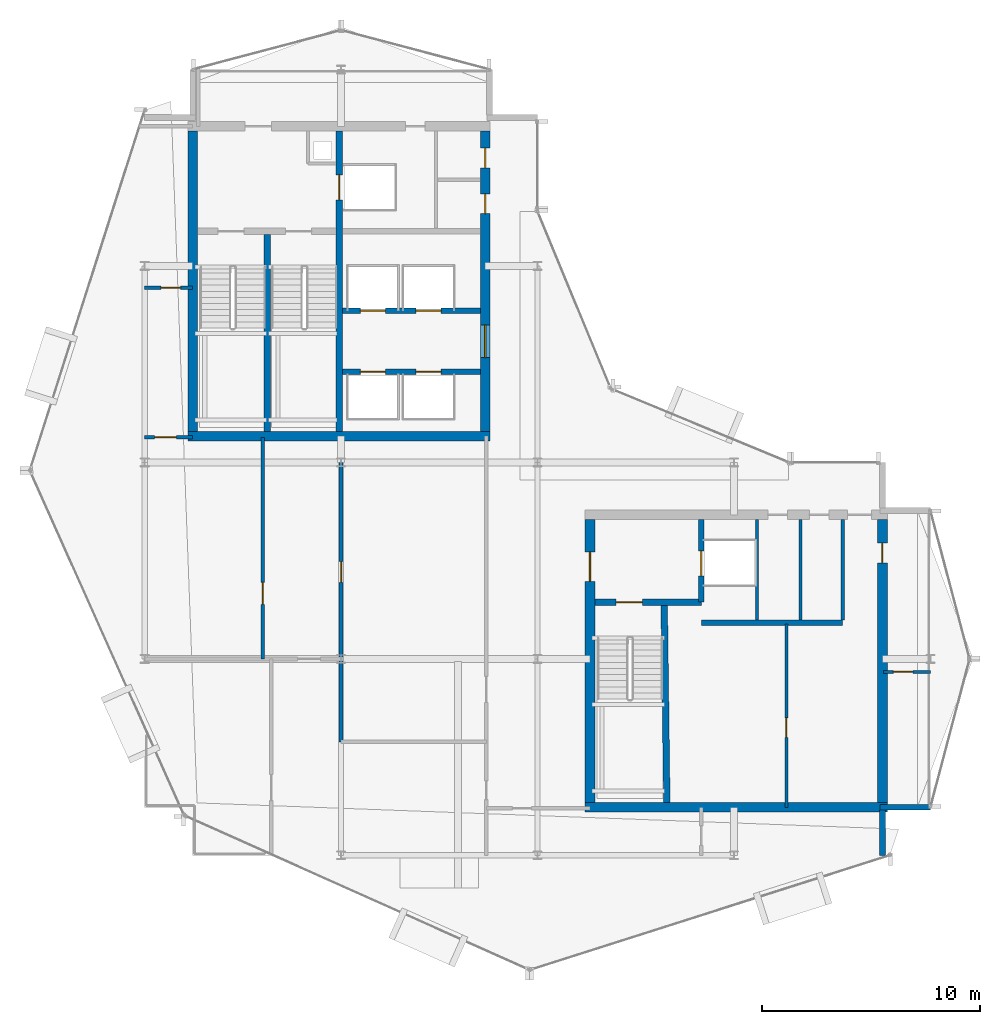
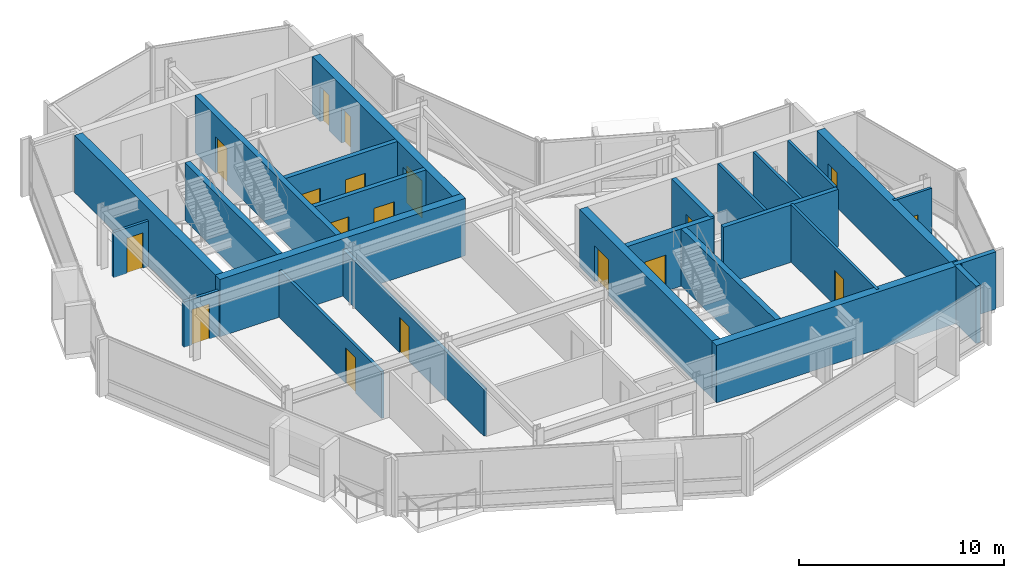
# One storey, part 14 of 19: 25 walls, 18 doors, 18 openings.
"""IFC4 building model written with IfcOpenShell, lengths in metres."""

import ifcopenshell
import ifcopenshell.guid

model = None  # the IFC model being written
_history = None  # IfcOwnerHistory: only IFC2X3 demands one
_inside = {}  # id of a spatial element -> (the spatial element, [elements in it])
_under = {}  # id of a project, library or spatial element -> (it, [spatial elements below it])
_declared = {}  # id of a project -> (the project, [libraries it declares])
_typed = {}  # id of a type object -> (the type object, [elements of that type])
_made_of = {}  # id of a material, layer set ... -> (it, [elements and type objects made of it])


def new_model(schema):
    """Start an empty IFC model of exactly this schema.

    Asked for "IFC4X3", IfcOpenShell would pick the latest addendum, in which some entities
    have other attributes; the version numbers below select the first issue.
    IFC2X3 requires an IfcOwnerHistory on every rooted entity: one is made here for all.
    """
    global model, _history
    if schema == "IFC4X3":
        model = ifcopenshell.file(schema_version=(4, 3, 0, 0))
    else:
        model = ifcopenshell.file(schema=schema)
    _inside.clear()
    _under.clear()
    _declared.clear()
    _typed.clear()
    _made_of.clear()
    _history = None
    if model.schema == "IFC2X3":
        org = make("IfcOrganization", Name="unknown")
        user = make(
            "IfcPersonAndOrganization",
            ThePerson=make("IfcPerson", FamilyName="unknown"),
            TheOrganization=org,
        )
        app = make(
            "IfcApplication",
            ApplicationDeveloper=org,
            Version="unknown",
            ApplicationFullName="unknown",
            ApplicationIdentifier="unknown",
        )
        _history = make(
            "IfcOwnerHistory",
            OwningUser=user,
            OwningApplication=app,
            ChangeAction="ADDED",
            CreationDate=0,
        )
    return model


def make(cls, **values):
    """One entity of the class cls with the attributes given. An attribute that is None is left unset."""
    return model.create_entity(
        cls, **{name: value for name, value in values.items() if value is not None}
    )


def rooted(cls, **values):
    """An entity with a GlobalId (a new one), such as an element, a storey or a relation."""
    return make(cls, GlobalId=ifcopenshell.guid.new(), OwnerHistory=_history, **values)


def si_unit(unit_type, name, prefix=None):
    """IfcSIUnit, for example si_unit("LENGTHUNIT", "METRE", prefix="MILLI")."""
    return make("IfcSIUnit", UnitType=unit_type, Prefix=prefix, Name=name)


def assignment(units):
    """IfcUnitAssignment: the units of a project."""
    return None if units is None else make("IfcUnitAssignment", Units=units)


def point(xyz):
    """IfcCartesianPoint."""
    return None if xyz is None else make("IfcCartesianPoint", Coordinates=xyz)


def direction(xyz):
    """IfcDirection."""
    return None if xyz is None else make("IfcDirection", DirectionRatios=xyz)


def frame(location, z_axis=None, x_axis=None):
    """IfcAxis2Placement3D, a coordinate frame: its origin and axes. An axis left out is left unset."""
    return make(
        "IfcAxis2Placement3D",
        Location=point(location),
        Axis=direction(z_axis),
        RefDirection=direction(x_axis),
    )


def frame_2d(location, x_axis=None):
    """IfcAxis2Placement2D, a coordinate frame in the plane: its origin and x axis."""
    return make(
        "IfcAxis2Placement2D", Location=point(location), RefDirection=direction(x_axis)
    )


def origin():
    """The frame at (0, 0, 0) with its axes left unset."""
    return frame((0.0, 0.0, 0.0))


def place(relative_to, where):
    """IfcLocalPlacement: puts the frame where relative to a parent placement (None: the world)."""
    return make(
        "IfcLocalPlacement", PlacementRelTo=relative_to, RelativePlacement=where
    )


def context(
    kind, dimensions, precision=None, world=None, true_north=None, identifier=None
):
    """IfcGeometricRepresentationContext, for example the 3D "Model" context."""
    return make(
        "IfcGeometricRepresentationContext",
        ContextIdentifier=identifier,
        ContextType=kind,
        CoordinateSpaceDimension=dimensions,
        Precision=precision,
        WorldCoordinateSystem=world,
        TrueNorth=true_north,
    )


def subcontext(parent, identifier, kind, view, scale=None):
    """IfcGeometricRepresentationSubContext, for example "Body" below "Model"."""
    return make(
        "IfcGeometricRepresentationSubContext",
        ContextIdentifier=identifier,
        ContextType=kind,
        ParentContext=parent,
        TargetScale=scale,
        TargetView=view,
    )


def project(units=None, contexts=None):
    """IfcProject with its units and contexts."""
    return rooted(
        "IfcProject",
        Name="project",
        RepresentationContexts=contexts,
        UnitsInContext=assignment(units),
    )


def spatial(cls, under=None, at=None, **own):
    """A site, building, storey or space (cls), placed at a placement, below another one or the project."""
    s = rooted(cls, ObjectPlacement=at, **own)
    if under is not None:
        _under.setdefault(under.id(), (under, []))[1].append(s)
    return s


def profile(cls, at=None, kind="AREA", **sizes):
    """A parametric profile (cls). Its sizes go by their IFC names, for example OverallWidth=200.0."""
    return make(cls, ProfileType=kind, Position=at, **sizes)


def rectangle(**sizes):
    """IfcRectangleProfileDef."""
    return profile("IfcRectangleProfileDef", **sizes)


def extrude(swept, where, along, depth):
    """IfcExtrudedAreaSolid: the profile swept, set in the frame where, extruded along a direction by depth."""
    return make(
        "IfcExtrudedAreaSolid",
        SweptArea=swept,
        Position=where,
        ExtrudedDirection=direction(along),
        Depth=depth,
    )


def shape(context_of_items, identifier, shape_type, items):
    """IfcShapeRepresentation: the items that make up one representation, for example the "Body"."""
    return make(
        "IfcShapeRepresentation",
        ContextOfItems=context_of_items,
        RepresentationIdentifier=identifier,
        RepresentationType=shape_type,
        Items=items,
    )


def material(Name=None, Category=None):
    """IfcMaterial."""
    return make("IfcMaterial", Name=Name, Category=Category)


def layer(
    of_material, thickness, ventilated=None, Name=None, Category=None, Priority=None
):
    """IfcMaterialLayer: one layer of a wall or slab, of a material (None: an air gap)."""
    return make(
        "IfcMaterialLayer",
        Material=of_material,
        LayerThickness=thickness,
        IsVentilated=ventilated,
        Name=Name,
        Category=Category,
        Priority=Priority,
    )


def layer_set(layers, Name=None):
    """IfcMaterialLayerSet."""
    return make("IfcMaterialLayerSet", MaterialLayers=layers, LayerSetName=Name)


def made_of(thing, what):
    """Note that an element or type object is made of a material, layer set ...; save() writes the relation."""
    if what is not None:
        _made_of.setdefault(what.id(), (what, []))[1].append(thing)
    return thing


def type_object(cls, material=None, **own):
    """A type object (cls), such as IfcWallType, which elements share."""
    return made_of(rooted(cls, **own), material)


def element(
    cls,
    number,
    at=None,
    inside=None,
    cuts=None,
    type_object=None,
    material=None,
    context=None,
    identifier="Body",
    shape_type=None,
    held_by="IfcProductDefinitionShape",
    body=None,
    shapes=None,
    **own,
):
    """One element of the class cls, such as IfcWall. Its Tag is "e" and its number.

    at: its placement. inside: the storey or other place that contains it. cuts: it is an
    opening in that element (IfcRelVoidsElement). A single representation is given by context,
    identifier, shape_type and body (its items); several are given by shapes. held_by: the class
    of the entity that holds the representations. save() writes the other relations.
    """
    e = rooted(cls, Tag="e%d" % number, ObjectPlacement=at, **own)
    if body is not None:
        shapes = [shape(context, identifier, shape_type, body)]
    if shapes is not None:
        e.Representation = make(held_by, Representations=shapes)
    if inside is not None:
        _inside.setdefault(inside.id(), (inside, []))[1].append(e)
    if cuts is not None:
        rooted(
            "IfcRelVoidsElement", RelatingBuildingElement=cuts, RelatedOpeningElement=e
        )
    if type_object is not None:
        _typed.setdefault(type_object.id(), (type_object, []))[1].append(e)
    return made_of(e, material)


def fill(opening, filler):
    """IfcRelFillsElement: the door or window that sits in an opening."""
    return rooted(
        "IfcRelFillsElement",
        RelatingOpeningElement=opening,
        RelatedBuildingElement=filler,
    )


def aggregate(whole, parts):
    """IfcRelAggregates: a whole, such as a stair, and the parts it consists of."""
    return rooted("IfcRelAggregates", RelatingObject=whole, RelatedObjects=parts)


def save(model, path):
    """Write the relations noted so far, then the file.

    IfcRelAggregates (storeys below a building ...), IfcRelContainedInSpatialStructure (elements
    in a storey), IfcRelDefinesByType, IfcRelAssociatesMaterial and IfcRelDeclares: one each for
    every whole, place, type object, material and project.
    """
    for whole, parts in _under.values():
        aggregate(whole, parts)
    for where, things in _inside.values():
        rooted(
            "IfcRelContainedInSpatialStructure",
            RelatedElements=things,
            RelatingStructure=where,
        )
    for kind, things in _typed.values():
        rooted("IfcRelDefinesByType", RelatedObjects=things, RelatingType=kind)
    for what, things in _made_of.values():
        rooted("IfcRelAssociatesMaterial", RelatedObjects=things, RelatingMaterial=what)
    for by, libraries in _declared.values():
        rooted("IfcRelDeclares", RelatingContext=by, RelatedDefinitions=libraries)
    model.write(path)


model = new_model("IFC4")

# Units and contexts
model_context = context("Model", 3, precision=1e-05, world=origin(), true_north=direction((0.0, 1.0)))
body_context = subcontext(model_context, "Body", "Model", "MODEL_VIEW")
ifc_project = project(units=[si_unit("LENGTHUNIT", "METRE"), si_unit("AREAUNIT", "SQUARE_METRE"), si_unit("VOLUMEUNIT", "CUBIC_METRE"), si_unit("PLANEANGLEUNIT", "RADIAN"), si_unit("MASSUNIT", "GRAM", prefix="KILO")], contexts=[model_context])

# Site, building, storey
site_placement = place(None, origin())
site = spatial("IfcSite", under=ifc_project, at=site_placement, CompositionType="ELEMENT")
building_placement = place(site_placement, origin())
building = spatial("IfcBuilding", under=site, at=building_placement, Name="Solvaryn Broadcast Tower", CompositionType="ELEMENT")
storey_placement = place(building_placement, frame((0.0, 0.0, 251.89990234375)))
storey = spatial("IfcBuildingStorey", under=building, at=storey_placement, Name="L63", CompositionType="ELEMENT", Elevation=251.89990234375)

# Walls
ifc_material_1 = material(Name="Concrete f'c 70 MPa", Category="concrete")
ifc_layer_1 = layer(ifc_material_1, 0.449951171875)
ifc_layer_set_1 = layer_set([ifc_layer_1], Name="CW-SHEAR-450")
wall_type_1 = type_object("IfcWallType", Name="CW-SHEAR-450", PredefinedType="SHEAR", material=ifc_layer_set_1)
wall_1_placement = place(storey_placement, frame((10.97509765625, 28.199951171875, 0.0), z_axis=(0.0, 0.0, 1.0), x_axis=(1.0, 0.0, 0.0)))
element("IfcWall", 1, at=wall_1_placement, inside=storey, type_object=wall_type_1, Name="L63 West Core South Shear Wall", PredefinedType="SHEAR", context=body_context, shape_type="SweptSolid", body=[
    extrude(rectangle(XDim=13.849853515625, YDim=0.449951171875, at=frame_2d((6.9248046875, 0.0))), origin(), (0.0, 0.0, 1.0), 3.420166015625),
])
wall_2_placement = place(storey_placement, frame((11.199951171875, 42.175048828125, 0.0), z_axis=(0.0, 0.0, 1.0), x_axis=(0.0, -1.0, 0.0)))
element("IfcWall", 2, at=wall_2_placement, inside=storey, type_object=wall_type_1, Name="L63 West Core West Shear Wall", PredefinedType="SHEAR", context=body_context, shape_type="SweptSolid", body=[
    extrude(rectangle(XDim=13.75, YDim=0.449951171875, at=frame_2d((6.875, 0.0))), origin(), (0.0, 0.0, 1.0), 3.420166015625),
])

# Wall, openings, doors
wall_3_placement = place(storey_placement, frame((24.60009765625, 28.425048828125, 0.0), z_axis=(0.0, 0.0, 1.0), x_axis=(0.0, 1.0, 0.0)))
wall_3 = element("IfcWall", 3, at=wall_3_placement, inside=storey, type_object=wall_type_1, Name="L63 West Core East Shear Wall", PredefinedType="SHEAR", context=body_context, shape_type="SweptSolid", body=[
    extrude(rectangle(XDim=13.75, YDim=0.449951171875, at=frame_2d((6.875, 0.0))), origin(), (0.0, 0.0, 1.0), 3.420166015625),
])
opening_1_placement = place(wall_3_placement, frame((3.375, 0.0, 0.0)))
opening_1 = element("IfcOpeningElement", 4, at=opening_1_placement, cuts=wall_3, Name="Opening FD60A", PredefinedType="OPENING", context=body_context, shape_type="SweptSolid", body=[
    extrude(rectangle(XDim=1.5, YDim=2.199951171875, at=frame_2d((0.75, 1.10009765625))), frame((0.0, 0.235107421875, 0.0), z_axis=(0.0, -1.0, 0.0), x_axis=(1.0, 0.0, 0.0)), (0.0, 0.0, 1.0), 0.469970703125),
])
opening_2_placement = place(wall_3_placement, frame((9.97509765625, 0.0, 0.0)))
opening_2 = element("IfcOpeningElement", 5, at=opening_2_placement, cuts=wall_3, Name="Opening FD60C", PredefinedType="OPENING", context=body_context, shape_type="SweptSolid", body=[
    extrude(rectangle(XDim=0.89990234375, YDim=2.10009765625, at=frame_2d((0.449951171875, 1.050048828125))), frame((0.0, 0.235107421875, 0.0), z_axis=(0.0, -1.0, 0.0), x_axis=(1.0, 0.0, 0.0)), (0.0, 0.0, 1.0), 0.469970703125),
])
opening_3_placement = place(wall_3_placement, frame((12.074951171875, 0.0, 0.0)))
opening_3 = element("IfcOpeningElement", 6, at=opening_3_placement, cuts=wall_3, Name="Opening FD60C", PredefinedType="OPENING", context=body_context, shape_type="SweptSolid", body=[
    extrude(rectangle(XDim=0.89990234375, YDim=2.10009765625, at=frame_2d((0.449951171875, 1.050048828125))), frame((0.0, 0.235107421875, 0.0), z_axis=(0.0, -1.0, 0.0), x_axis=(1.0, 0.0, 0.0)), (0.0, 0.0, 1.0), 0.469970703125),
])
ifc_material_2 = material(Name="Flush Acoustic Steel and Timber Door Assembly", Category="steel")
door_type_1 = type_object("IfcDoorType", Name="FD60-CORR-1500X2200", OperationType="NOTDEFINED", PredefinedType="DOOR", material=ifc_material_2)
door_1_placement = place(opening_1_placement, origin())
door_1 = element("IfcDoor", 7, at=door_1_placement, inside=storey, type_object=door_type_1, Name="L63 West Elevator Lobby Corridor Door", OperationType="DOUBLE_DOOR_SINGLE_SWING", OverallHeight=2.199951171875, OverallWidth=1.5, PredefinedType="DOOR", context=body_context, shape_type="SweptSolid", body=[
    extrude(rectangle(XDim=1.5, YDim=2.199951171875, at=frame_2d((0.75, 1.10009765625))), frame((0.0, 0.02490234375, 0.0), z_axis=(0.0, -1.0, 0.0), x_axis=(1.0, 0.0, 0.0)), (0.0, 0.0, 1.0), 0.050048828125),
])
fill(opening_1, door_1)
ifc_material_3 = material(Name="Flush Acoustic Steel and Timber Door Assembly", Category="steel")
door_type_2 = type_object("IfcDoorType", Name="FD60-SERV-900X2100", OperationType="NOTDEFINED", PredefinedType="DOOR", material=ifc_material_3)
door_2_placement = place(opening_2_placement, origin())
door_2 = element("IfcDoor", 8, at=door_2_placement, inside=storey, type_object=door_type_2, Name="L63 West Core Service Door 1", OperationType="SINGLE_SWING_LEFT", OverallHeight=2.10009765625, OverallWidth=0.89990234375, PredefinedType="DOOR", context=body_context, shape_type="SweptSolid", body=[
    extrude(rectangle(XDim=0.89990234375, YDim=2.10009765625, at=frame_2d((0.449951171875, 1.050048828125))), frame((0.0, 0.02490234375, 0.0), z_axis=(0.0, -1.0, 0.0), x_axis=(1.0, 0.0, 0.0)), (0.0, 0.0, 1.0), 0.050048828125),
])
fill(opening_2, door_2)
door_3_placement = place(opening_3_placement, origin())
door_3 = element("IfcDoor", 9, at=door_3_placement, inside=storey, type_object=door_type_2, Name="L63 West Core Janitor Door", OperationType="SINGLE_SWING_RIGHT", OverallHeight=2.10009765625, OverallWidth=0.89990234375, PredefinedType="DOOR", context=body_context, shape_type="SweptSolid", body=[
    extrude(rectangle(XDim=0.89990234375, YDim=2.10009765625, at=frame_2d((0.449951171875, 1.050048828125))), frame((0.0, 0.02490234375, 0.0), z_axis=(0.0, -1.0, 0.0), x_axis=(1.0, 0.0, 0.0)), (0.0, 0.0, 1.0), 0.050048828125),
])
fill(opening_3, door_3)

# Wall
wall_4_placement = place(storey_placement, frame((29.175048828125, 11.199951171875, 0.0), z_axis=(0.0, 0.0, 1.0), x_axis=(1.0, 0.0, 0.0)))
element("IfcWall", 10, at=wall_4_placement, inside=storey, type_object=wall_type_1, Name="L63 East Core South Shear Wall", PredefinedType="SHEAR", context=body_context, shape_type="SweptSolid", body=[
    extrude(rectangle(XDim=13.849853515625, YDim=0.449951171875, at=frame_2d((6.9248046875, 0.0))), origin(), (0.0, 0.0, 1.0), 3.420166015625),
])

# Wall, opening, door
wall_5_placement = place(storey_placement, frame((29.39990234375, 24.375, 0.0), z_axis=(0.0, 0.0, 1.0), x_axis=(0.0, -1.0, 0.0)))
wall_5 = element("IfcWall", 11, at=wall_5_placement, inside=storey, type_object=wall_type_1, Name="L63 East Core West Shear Wall", PredefinedType="SHEAR", context=body_context, shape_type="SweptSolid", body=[
    extrude(rectangle(XDim=12.949951171875, YDim=0.449951171875, at=frame_2d((6.47509765625, 0.0))), origin(), (0.0, 0.0, 1.0), 3.420166015625),
])
opening_4_placement = place(wall_5_placement, frame((1.47509765625, 0.0, 0.0)))
opening_4 = element("IfcOpeningElement", 12, at=opening_4_placement, cuts=wall_5, Name="Opening FD90B", PredefinedType="OPENING", context=body_context, shape_type="SweptSolid", body=[
    extrude(rectangle(XDim=1.35009765625, YDim=2.14990234375, at=frame_2d((0.675048828125, 1.074951171875))), frame((0.0, 0.235107421875, 0.0), z_axis=(0.0, -1.0, 0.0), x_axis=(1.0, 0.0, 0.0)), (0.0, 0.0, 1.0), 0.469970703125),
])
ifc_material_4 = material(Name="Flush Acoustic Steel and Timber Door Assembly", Category="steel")
door_type_3 = type_object("IfcDoorType", Name="FD90-LOBBY-1350X2150", OperationType="NOTDEFINED", PredefinedType="DOOR", material=ifc_material_4)
door_4_placement = place(opening_4_placement, origin())
door_4 = element("IfcDoor", 13, at=door_4_placement, inside=storey, type_object=door_type_3, Name="L63 East FSAE Lobby Door", OperationType="SINGLE_SWING_RIGHT", OverallHeight=2.14990234375, OverallWidth=1.35009765625, PredefinedType="DOOR", context=body_context, shape_type="SweptSolid", body=[
    extrude(rectangle(XDim=1.35009765625, YDim=2.14990234375, at=frame_2d((0.675048828125, 1.074951171875))), frame((0.0, 0.02490234375, 0.0), z_axis=(0.0, -1.0, 0.0), x_axis=(1.0, 0.0, 0.0)), (0.0, 0.0, 1.0), 0.050048828125),
])
fill(opening_4, door_4)

wall_6_placement = place(storey_placement, frame((42.800048828125, 11.425048828125, 0.0), z_axis=(0.0, 0.0, 1.0), x_axis=(0.0, 1.0, 0.0)))
wall_6 = element("IfcWall", 14, at=wall_6_placement, inside=storey, type_object=wall_type_1, Name="L63 East Core East Shear Wall", PredefinedType="SHEAR", context=body_context, shape_type="SweptSolid", body=[
    extrude(rectangle(XDim=12.949951171875, YDim=0.449951171875, at=frame_2d((6.47509765625, 0.0))), origin(), (0.0, 0.0, 1.0), 3.420166015625),
])
opening_5_placement = place(wall_6_placement, frame((10.97509765625, 0.0, 0.0)))
opening_5 = element("IfcOpeningElement", 15, at=opening_5_placement, cuts=wall_6, Name="Opening FD60C", PredefinedType="OPENING", context=body_context, shape_type="SweptSolid", body=[
    extrude(rectangle(XDim=0.89990234375, YDim=2.10009765625, at=frame_2d((0.449951171875, 1.050048828125))), frame((0.0, 0.235107421875, 0.0), z_axis=(0.0, -1.0, 0.0), x_axis=(1.0, 0.0, 0.0)), (0.0, 0.0, 1.0), 0.469970703125),
])
door_5_placement = place(opening_5_placement, origin())
door_5 = element("IfcDoor", 16, at=door_5_placement, inside=storey, type_object=door_type_2, Name="L63 Upper East Studio Door", OperationType="SINGLE_SWING_RIGHT", OverallHeight=2.10009765625, OverallWidth=0.89990234375, PredefinedType="DOOR", context=body_context, shape_type="SweptSolid", body=[
    extrude(rectangle(XDim=0.89990234375, YDim=2.10009765625, at=frame_2d((0.449951171875, 1.050048828125))), frame((0.0, 0.02490234375, 0.0), z_axis=(0.0, -1.0, 0.0), x_axis=(1.0, 0.0, 0.0)), (0.0, 0.0, 1.0), 0.050048828125),
])
fill(opening_5, door_5)

# Walls
ifc_material_5 = material(Name="Concrete f'c 50 MPa", Category="concrete")
ifc_layer_2 = layer(ifc_material_5, 0.260009765625)
ifc_layer_set_2 = layer_set([ifc_layer_2], Name="EW-PIER-260")
wall_type_2 = type_object("IfcWallType", Name="EW-PIER-260", PredefinedType="SOLIDWALL", material=ifc_layer_set_2)
wall_7_placement = place(storey_placement, frame((42.800048828125, 9.0, 0.0), z_axis=(0.0, 0.0, 1.0), x_axis=(0.0, 1.0, 0.0)))
element("IfcWall", 17, at=wall_7_placement, inside=storey, type_object=wall_type_2, Name="L63 Notched Corner Pier Wall NSE1", PredefinedType="SOLIDWALL", context=body_context, shape_type="SweptSolid", body=[
    extrude(rectangle(XDim=2.080078125, YDim=0.260009765625, at=frame_2d((1.0400390625, 0.0))), origin(), (0.0, 0.0, 1.0), 3.420166015625),
])
wall_8_placement = place(storey_placement, frame((42.679931640625, 11.199951171875, 0.0), z_axis=(0.0, 0.0, 1.0), x_axis=(1.0, 0.0, 0.0)))
element("IfcWall", 18, at=wall_8_placement, inside=storey, type_object=wall_type_2, Name="L63 Notched Corner Pier Wall NSE2", PredefinedType="SOLIDWALL", context=body_context, shape_type="SweptSolid", body=[
    extrude(rectangle(XDim=2.320068359375, YDim=0.260009765625, at=frame_2d((1.16015625, 0.0))), origin(), (0.0, 0.0, 1.0), 3.420166015625),
])

# Wall, opening, door
ifc_material_6 = material(Name="Metal-Stud Service Core Partition")
ifc_layer_3 = layer(ifc_material_6, 0.14990234375)
ifc_layer_set_3 = layer_set([ifc_layer_3], Name="IW-PART-150")
wall_type_3 = type_object("IfcWallType", Name="IW-PART-150", PredefinedType="PARTITIONING", material=ifc_layer_set_3)
wall_9_placement = place(storey_placement, frame((38.39990234375, 11.199951171875, 0.0), z_axis=(0.0, 0.0, 1.0), x_axis=(0.0, 1.0, 0.0)))
wall_9 = element("IfcWall", 19, at=wall_9_placement, inside=storey, type_object=wall_type_3, Name="L63 Interior Partition IW-L63-RPM-V", PredefinedType="PARTITIONING", context=body_context, shape_type="SweptSolid", body=[
    extrude(rectangle(XDim=8.400146484375, YDim=0.14990234375, at=frame_2d((4.2001953125, 0.0))), origin(), (0.0, 0.0, 1.0), 3.420166015625),
])
opening_6_placement = place(wall_9_placement, frame((3.199951171875, 0.0, 0.0)))
opening_6 = element("IfcOpeningElement", 20, at=opening_6_placement, cuts=wall_9, Name="Opening FD60C", PredefinedType="OPENING", context=body_context, shape_type="SweptSolid", body=[
    extrude(rectangle(XDim=0.89990234375, YDim=2.10009765625, at=frame_2d((0.449951171875, 1.050048828125))), frame((0.0, 0.0849609375, 0.0), z_axis=(0.0, -1.0, 0.0), x_axis=(1.0, 0.0, 0.0)), (0.0, 0.0, 1.0), 0.169921875),
])
door_6_placement = place(opening_6_placement, origin())
door_6 = element("IfcDoor", 21, at=door_6_placement, inside=storey, type_object=door_type_2, Name="L63 Door DR-L63-RPM1", OperationType="SINGLE_SWING_LEFT", OverallHeight=2.10009765625, OverallWidth=0.89990234375, PredefinedType="DOOR", context=body_context, shape_type="SweptSolid", body=[
    extrude(rectangle(XDim=0.89990234375, YDim=2.10009765625, at=frame_2d((0.449951171875, 1.050048828125))), frame((0.0, 0.02490234375, 0.0), z_axis=(0.0, -1.0, 0.0), x_axis=(1.0, 0.0, 0.0)), (0.0, 0.0, 1.0), 0.050048828125),
])
fill(opening_6, door_6)

# Walls
for number, where, z_axis, x_axis, name in (
    (22, (37.050048828125, 19.780029296875, 0.0), (0.0, 0.0, 1.0), (0.0, 1.0, 0.0), "L63 Interior Partition IW-L63-CE-FL2E"),
    (23, (39.050048828125, 19.780029296875, 0.0), (0.0, 0.0, 1.0), (0.0, 1.0, 0.0), "L63 Interior Partition IW-L63-CE-V1"),
    (24, (40.97998046875, 19.780029296875, 0.0), (0.0, 0.0, 1.0), (0.0, 1.0, 0.0), "L63 Interior Partition IW-L63-CE-V3"),
):
    element("IfcWall", number, at=place(storey_placement, frame(where, z_axis=z_axis, x_axis=x_axis)), inside=storey, type_object=wall_type_3, Name=name, PredefinedType="PARTITIONING", context=body_context, shape_type="SweptSolid", body=[
        extrude(rectangle(XDim=4.594970703125, YDim=0.14990234375, at=frame_2d((2.29736328125, 0.0))), origin(), (0.0, 0.0, 1.0), 3.420166015625),
    ])

# Wall, opening, door
wall_10_placement = place(storey_placement, frame((9.0, 35.0, 0.0), z_axis=(0.0, 0.0, 1.0), x_axis=(1.0, 0.0, 0.0)))
wall_10 = element("IfcWall", 25, at=wall_10_placement, inside=storey, type_object=wall_type_3, Name="L63 Interior Partition IW-L63-WM-M", PredefinedType="PARTITIONING", context=body_context, shape_type="SweptSolid", body=[
    extrude(rectangle(XDim=2.199951171875, YDim=0.14990234375, at=frame_2d((1.10009765625, 0.0))), origin(), (0.0, 0.0, 1.0), 2.70703125),
])
opening_7_placement = place(wall_10_placement, frame((0.75, 0.0, 0.0)))
opening_7 = element("IfcOpeningElement", 26, at=opening_7_placement, cuts=wall_10, Name="Opening FD60C", PredefinedType="OPENING", context=body_context, shape_type="SweptSolid", body=[
    extrude(rectangle(XDim=0.89990234375, YDim=2.10009765625, at=frame_2d((0.449951171875, 1.050048828125))), frame((0.0, 0.0849609375, 0.0), z_axis=(0.0, -1.0, 0.0), x_axis=(1.0, 0.0, 0.0)), (0.0, 0.0, 1.0), 0.169921875),
])
door_7_placement = place(opening_7_placement, origin())
door_7 = element("IfcDoor", 27, at=door_7_placement, inside=storey, type_object=door_type_2, Name="L63 Door DR-L63-WM1", OperationType="SINGLE_SWING_LEFT", OverallHeight=2.10009765625, OverallWidth=0.89990234375, PredefinedType="DOOR", context=body_context, shape_type="SweptSolid", body=[
    extrude(rectangle(XDim=0.89990234375, YDim=2.10009765625, at=frame_2d((0.449951171875, 1.050048828125))), frame((0.0, 0.02490234375, 0.0), z_axis=(0.0, -1.0, 0.0), x_axis=(1.0, 0.0, 0.0)), (0.0, 0.0, 1.0), 0.050048828125),
])
fill(opening_7, door_7)

wall_11_placement = place(storey_placement, frame((42.85009765625, 17.39990234375, 0.0), z_axis=(0.0, 0.0, 1.0), x_axis=(1.0, 0.0, 0.0)))
wall_11 = element("IfcWall", 28, at=wall_11_placement, inside=storey, type_object=wall_type_3, Name="L63 Interior Partition IW-L63-E4M", PredefinedType="PARTITIONING", context=body_context, shape_type="SweptSolid", body=[
    extrude(rectangle(XDim=2.14990234375, YDim=0.14990234375, at=frame_2d((1.074951171875, 0.0))), origin(), (0.0, 0.0, 1.0), 3.420166015625),
])
opening_8_placement = place(wall_11_placement, frame((0.449951171875, 0.0, 0.0)))
opening_8 = element("IfcOpeningElement", 29, at=opening_8_placement, cuts=wall_11, Name="Opening FD60C", PredefinedType="OPENING", context=body_context, shape_type="SweptSolid", body=[
    extrude(rectangle(XDim=0.89990234375, YDim=2.10009765625, at=frame_2d((0.449951171875, 1.050048828125))), frame((0.0, 0.0849609375, 0.0), z_axis=(0.0, -1.0, 0.0), x_axis=(1.0, 0.0, 0.0)), (0.0, 0.0, 1.0), 0.169921875),
])
door_8_placement = place(opening_8_placement, origin())
door_8 = element("IfcDoor", 30, at=door_8_placement, inside=storey, type_object=door_type_2, Name="L63 Door DR-L63-E4M", OperationType="SINGLE_SWING_RIGHT", OverallHeight=2.10009765625, OverallWidth=0.89990234375, PredefinedType="DOOR", context=body_context, shape_type="SweptSolid", body=[
    extrude(rectangle(XDim=0.89990234375, YDim=2.10009765625, at=frame_2d((0.449951171875, 1.050048828125))), frame((0.0, 0.02490234375, 0.0), z_axis=(0.0, -1.0, 0.0), x_axis=(1.0, 0.0, 0.0)), (0.0, 0.0, 1.0), 0.050048828125),
])
fill(opening_8, door_8)

ifc_material_7 = material(Name="Metal-Stud Gypsum Office Partition")
ifc_layer_4 = layer(ifc_material_7, 0.159912109375)
ifc_layer_set_4 = layer_set([ifc_layer_4], Name="IW-PART-160")
wall_type_4 = type_object("IfcWallType", Name="IW-PART-160", PredefinedType="PARTITIONING", material=ifc_layer_set_4)
wall_12_placement = place(storey_placement, frame((9.0, 28.14990234375, 0.0), z_axis=(0.0, 0.0, 1.0), x_axis=(1.0, 0.0, 0.0)))
wall_12 = element("IfcWall", 31, at=wall_12_placement, inside=storey, type_object=wall_type_4, Name="L63 Interior Partition IW-L63-WM-S", PredefinedType="PARTITIONING", context=body_context, shape_type="SweptSolid", body=[
    extrude(rectangle(XDim=2.199951171875, YDim=0.159912109375, at=frame_2d((1.10009765625, 0.0))), origin(), (0.0, 0.0, 1.0), 2.70703125),
])
opening_9_placement = place(wall_12_placement, frame((0.449951171875, 0.0, 0.0)))
opening_9 = element("IfcOpeningElement", 32, at=opening_9_placement, cuts=wall_12, Name="Opening ID02", PredefinedType="OPENING", context=body_context, shape_type="SweptSolid", body=[
    extrude(rectangle(XDim=1.0, YDim=2.10009765625, at=frame_2d((0.5, 1.050048828125))), frame((0.0, 0.090087890625, 0.0), z_axis=(0.0, -1.0, 0.0), x_axis=(1.0, 0.0, 0.0)), (0.0, 0.0, 1.0), 0.179931640625),
])
ifc_material_8 = material(Name="Flush Acoustic Steel and Timber Door Assembly", Category="steel")
door_type_4 = type_object("IfcDoorType", Name="ID-02-1000X2100", OperationType="NOTDEFINED", PredefinedType="DOOR", material=ifc_material_8)
door_9_placement = place(opening_9_placement, origin())
door_9 = element("IfcDoor", 33, at=door_9_placement, inside=storey, type_object=door_type_4, Name="L63 Door DR-L63-WM0", OperationType="SINGLE_SWING_RIGHT", OverallHeight=2.10009765625, OverallWidth=1.0, PredefinedType="DOOR", context=body_context, shape_type="SweptSolid", body=[
    extrude(rectangle(XDim=1.0, YDim=2.10009765625, at=frame_2d((0.5, 1.050048828125))), frame((0.0, 0.02490234375, 0.0), z_axis=(0.0, -1.0, 0.0), x_axis=(1.0, 0.0, 0.0)), (0.0, 0.0, 1.0), 0.050048828125),
])
fill(opening_9, door_9)

wall_13_placement = place(storey_placement, frame((14.39990234375, 18.0, 0.0), z_axis=(0.0, 0.0, 1.0), x_axis=(0.0, 1.0, 0.0)))
wall_13 = element("IfcWall", 34, at=wall_13_placement, inside=storey, type_object=wall_type_4, Name="L63 Interior Partition IW-L63-SW-NWV", PredefinedType="PARTITIONING", context=body_context, shape_type="SweptSolid", body=[
    extrude(rectangle(XDim=10.1298828125, YDim=0.159912109375, at=frame_2d((5.06494140625, 0.0))), origin(), (0.0, 0.0, 1.0), 2.7890625),
])
opening_10_placement = place(wall_13_placement, frame((2.5, 0.0, 0.0)))
opening_10 = element("IfcOpeningElement", 35, at=opening_10_placement, cuts=wall_13, Name="Opening ID02", PredefinedType="OPENING", context=body_context, shape_type="SweptSolid", body=[
    extrude(rectangle(XDim=1.0, YDim=2.10009765625, at=frame_2d((0.5, 1.050048828125))), frame((0.0, 0.090087890625, 0.0), z_axis=(0.0, -1.0, 0.0), x_axis=(1.0, 0.0, 0.0)), (0.0, 0.0, 1.0), 0.179931640625),
])
door_10_placement = place(opening_10_placement, origin())
door_10 = element("IfcDoor", 36, at=door_10_placement, inside=storey, type_object=door_type_4, Name="L63 Door DR-L63-SWL-NW", OperationType="SINGLE_SWING_LEFT", OverallHeight=2.10009765625, OverallWidth=1.0, PredefinedType="DOOR", context=body_context, shape_type="SweptSolid", body=[
    extrude(rectangle(XDim=1.0, YDim=2.10009765625, at=frame_2d((0.5, 1.050048828125))), frame((0.0, 0.02490234375, 0.0), z_axis=(0.0, -1.0, 0.0), x_axis=(1.0, 0.0, 0.0)), (0.0, 0.0, 1.0), 0.050048828125),
])
fill(opening_10, door_10)

ifc_material_9 = material(Name="Acoustic Metal-Stud Gypsum Partition")
ifc_layer_5 = layer(ifc_material_9, 0.179931640625)
ifc_layer_set_5 = layer_set([ifc_layer_5], Name="IW-PART-180")
wall_type_5 = type_object("IfcWallType", Name="IW-PART-180", PredefinedType="PARTITIONING", material=ifc_layer_set_5)
wall_14_placement = place(storey_placement, frame((18.0, 14.199951171875, 0.0), z_axis=(0.0, 0.0, 1.0), x_axis=(0.0, 1.0, 0.0)))
wall_14 = element("IfcWall", 37, at=wall_14_placement, inside=storey, type_object=wall_type_5, Name="L63 Interior Partition IW-L63-SW-LV", PredefinedType="PARTITIONING", context=body_context, shape_type="SweptSolid", body=[
    extrude(rectangle(XDim=13.929931640625, YDim=0.179931640625, at=frame_2d((6.96484375, 0.0))), origin(), (0.0, 0.0, 1.0), 2.7890625),
])
opening_11_placement = place(wall_14_placement, frame((7.300048828125, 0.0, 0.0)))
opening_11 = element("IfcOpeningElement", 38, at=opening_11_placement, cuts=wall_14, Name="Opening ID01", PredefinedType="OPENING", context=body_context, shape_type="SweptSolid", body=[
    extrude(rectangle(XDim=0.949951171875, YDim=2.10009765625, at=frame_2d((0.47509765625, 1.050048828125))), frame((0.0, 0.099853515625, 0.0), z_axis=(0.0, -1.0, 0.0), x_axis=(1.0, 0.0, 0.0)), (0.0, 0.0, 1.0), 0.199951171875),
])
ifc_material_10 = material(Name="Flush Acoustic Steel and Timber Door Assembly", Category="steel")
door_type_5 = type_object("IfcDoorType", Name="ID-01-950X2100", OperationType="NOTDEFINED", PredefinedType="DOOR", material=ifc_material_10)
door_11_placement = place(opening_11_placement, origin())
door_11 = element("IfcDoor", 39, at=door_11_placement, inside=storey, type_object=door_type_5, Name="L63 Door DR-L63-SWL-LV", OperationType="SINGLE_SWING_RIGHT", OverallHeight=2.10009765625, OverallWidth=0.949951171875, PredefinedType="DOOR", context=body_context, shape_type="SweptSolid", body=[
    extrude(rectangle(XDim=0.949951171875, YDim=2.10009765625, at=frame_2d((0.47509765625, 1.050048828125))), frame((0.0, 0.02490234375, 0.0), z_axis=(0.0, -1.0, 0.0), x_axis=(1.0, 0.0, 0.0)), (0.0, 0.0, 1.0), 0.050048828125),
])
fill(opening_11, door_11)

# Wall, openings, doors
ifc_material_11 = material(Name="Concrete f'c 60 MPa", Category="concrete")
ifc_layer_6 = layer(ifc_material_11, 0.25)
ifc_layer_set_6 = layer_set([ifc_layer_6], Name="SW-SHAFT-250")
wall_type_6 = type_object("IfcWallType", Name="SW-SHAFT-250", PredefinedType="PARTITIONING", material=ifc_layer_set_6)
wall_15_placement = place(storey_placement, frame((18.070068359375, 31.14990234375, 0.0), z_axis=(0.0, 0.0, 1.0), x_axis=(1.0, 0.0, 0.0)))
wall_15 = element("IfcWall", 40, at=wall_15_placement, inside=storey, type_object=wall_type_6, Name="L63 High-Rise Lift Bank South Wall", PredefinedType="PARTITIONING", context=body_context, shape_type="SweptSolid", body=[
    extrude(rectangle(XDim=6.304931640625, YDim=0.25, at=frame_2d((3.15234375, 0.0))), origin(), (0.0, 0.0, 1.0), 3.420166015625),
])
opening_12_placement = place(wall_15_placement, frame((0.804931640625, 0.0, 0.0)))
opening_12 = element("IfcOpeningElement", 41, at=opening_12_placement, cuts=wall_15, Name="Opening LD01", PredefinedType="OPENING", context=body_context, shape_type="SweptSolid", body=[
    extrude(rectangle(XDim=1.14990234375, YDim=2.14990234375, at=frame_2d((0.574951171875, 1.074951171875))), frame((0.0, 0.135009765625, 0.0), z_axis=(0.0, -1.0, 0.0), x_axis=(1.0, 0.0, 0.0)), (0.0, 0.0, 1.0), 0.27001953125),
])
opening_13_placement = place(wall_15_placement, frame((3.35498046875, 0.0, 0.0)))
opening_13 = element("IfcOpeningElement", 42, at=opening_13_placement, cuts=wall_15, Name="Opening LD01", PredefinedType="OPENING", context=body_context, shape_type="SweptSolid", body=[
    extrude(rectangle(XDim=1.14990234375, YDim=2.14990234375, at=frame_2d((0.574951171875, 1.074951171875))), frame((0.0, 0.135009765625, 0.0), z_axis=(0.0, -1.0, 0.0), x_axis=(1.0, 0.0, 0.0)), (0.0, 0.0, 1.0), 0.27001953125),
])
ifc_material_12 = material(Name="Flush Acoustic Steel and Timber Door Assembly", Category="steel")
door_type_6 = type_object("IfcDoorType", Name="LD-LIFT-1150X2150", OperationType="NOTDEFINED", PredefinedType="DOOR", material=ifc_material_12)
door_12_placement = place(opening_12_placement, origin())
door_12 = element("IfcDoor", 43, at=door_12_placement, inside=storey, type_object=door_type_6, Name="L63 PH1 Lift Landing Door", OperationType="DOUBLE_DOOR_SLIDING", OverallHeight=2.14990234375, OverallWidth=1.14990234375, PredefinedType="DOOR", context=body_context, shape_type="SweptSolid", body=[
    extrude(rectangle(XDim=1.14990234375, YDim=2.14990234375, at=frame_2d((0.574951171875, 1.074951171875))), frame((0.0, 0.02490234375, 0.0), z_axis=(0.0, -1.0, 0.0), x_axis=(1.0, 0.0, 0.0)), (0.0, 0.0, 1.0), 0.050048828125),
])
fill(opening_12, door_12)
door_13_placement = place(opening_13_placement, origin())
door_13 = element("IfcDoor", 44, at=door_13_placement, inside=storey, type_object=door_type_6, Name="L63 PH2 Lift Landing Door", OperationType="DOUBLE_DOOR_SLIDING", OverallHeight=2.14990234375, OverallWidth=1.14990234375, PredefinedType="DOOR", context=body_context, shape_type="SweptSolid", body=[
    extrude(rectangle(XDim=1.14990234375, YDim=2.14990234375, at=frame_2d((0.574951171875, 1.074951171875))), frame((0.0, 0.02490234375, 0.0), z_axis=(0.0, -1.0, 0.0), x_axis=(1.0, 0.0, 0.0)), (0.0, 0.0, 1.0), 0.050048828125),
])
fill(opening_13, door_13)

wall_16_placement = place(storey_placement, frame((24.375, 33.949951171875, 0.0), z_axis=(0.0, 0.0, 1.0), x_axis=(-1.0, 0.0, 0.0)))
wall_16 = element("IfcWall", 45, at=wall_16_placement, inside=storey, type_object=wall_type_6, Name="L63 High-Rise Lift Bank North Wall", PredefinedType="PARTITIONING", context=body_context, shape_type="SweptSolid", body=[
    extrude(rectangle(XDim=6.304931640625, YDim=0.25, at=frame_2d((3.15234375, 0.0))), origin(), (0.0, 0.0, 1.0), 3.420166015625),
])
opening_14_placement = place(wall_16_placement, frame((4.35009765625, 0.0, 0.0)))
opening_14 = element("IfcOpeningElement", 46, at=opening_14_placement, cuts=wall_16, Name="Opening LD01", PredefinedType="OPENING", context=body_context, shape_type="SweptSolid", body=[
    extrude(rectangle(XDim=1.14990234375, YDim=2.14990234375, at=frame_2d((0.574951171875, 1.074951171875))), frame((0.0, 0.135009765625, 0.0), z_axis=(0.0, -1.0, 0.0), x_axis=(1.0, 0.0, 0.0)), (0.0, 0.0, 1.0), 0.27001953125),
])
opening_15_placement = place(wall_16_placement, frame((1.800048828125, 0.0, 0.0)))
opening_15 = element("IfcOpeningElement", 47, at=opening_15_placement, cuts=wall_16, Name="Opening LD01", PredefinedType="OPENING", context=body_context, shape_type="SweptSolid", body=[
    extrude(rectangle(XDim=1.14990234375, YDim=2.14990234375, at=frame_2d((0.574951171875, 1.074951171875))), frame((0.0, 0.135009765625, 0.0), z_axis=(0.0, -1.0, 0.0), x_axis=(1.0, 0.0, 0.0)), (0.0, 0.0, 1.0), 0.27001953125),
])
door_14_placement = place(opening_14_placement, origin())
door_14 = element("IfcDoor", 48, at=door_14_placement, inside=storey, type_object=door_type_6, Name="L63 PH3 Lift Landing Door", OperationType="DOUBLE_DOOR_SLIDING", OverallHeight=2.14990234375, OverallWidth=1.14990234375, PredefinedType="DOOR", context=body_context, shape_type="SweptSolid", body=[
    extrude(rectangle(XDim=1.14990234375, YDim=2.14990234375, at=frame_2d((0.574951171875, 1.074951171875))), frame((0.0, 0.02490234375, 0.0), z_axis=(0.0, -1.0, 0.0), x_axis=(1.0, 0.0, 0.0)), (0.0, 0.0, 1.0), 0.050048828125),
])
fill(opening_14, door_14)
door_15_placement = place(opening_15_placement, origin())
door_15 = element("IfcDoor", 49, at=door_15_placement, inside=storey, type_object=door_type_6, Name="L63 PH4 Lift Landing Door", OperationType="DOUBLE_DOOR_SLIDING", OverallHeight=2.14990234375, OverallWidth=1.14990234375, PredefinedType="DOOR", context=body_context, shape_type="SweptSolid", body=[
    extrude(rectangle(XDim=1.14990234375, YDim=2.14990234375, at=frame_2d((0.574951171875, 1.074951171875))), frame((0.0, 0.02490234375, 0.0), z_axis=(0.0, -1.0, 0.0), x_axis=(1.0, 0.0, 0.0)), (0.0, 0.0, 1.0), 0.050048828125),
])
fill(opening_15, door_15)

# Wall, opening, door
wall_17_placement = place(storey_placement, frame((34.5, 20.60009765625, 0.0), z_axis=(0.0, 0.0, 1.0), x_axis=(0.0, 1.0, 0.0)))
wall_17 = element("IfcWall", 50, at=wall_17_placement, inside=storey, type_object=wall_type_6, Name="L63 East FSAE Lobby East Wall", PredefinedType="PARTITIONING", context=body_context, shape_type="SweptSolid", body=[
    extrude(rectangle(XDim=3.77490234375, YDim=0.25, at=frame_2d((1.887451171875, 0.0))), origin(), (0.0, 0.0, 1.0), 3.420166015625),
])
opening_16_placement = place(wall_17_placement, frame((1.199951171875, 0.0, 0.0)))
opening_16 = element("IfcOpeningElement", 51, at=opening_16_placement, cuts=wall_17, Name="Opening LD01", PredefinedType="OPENING", context=body_context, shape_type="SweptSolid", body=[
    extrude(rectangle(XDim=1.14990234375, YDim=2.14990234375, at=frame_2d((0.574951171875, 1.074951171875))), frame((0.0, 0.135009765625, 0.0), z_axis=(0.0, -1.0, 0.0), x_axis=(1.0, 0.0, 0.0)), (0.0, 0.0, 1.0), 0.27001953125),
])
door_16_placement = place(opening_16_placement, origin())
door_16 = element("IfcDoor", 52, at=door_16_placement, inside=storey, type_object=door_type_6, Name="L63 FL2 Lift Landing Door", OperationType="DOUBLE_DOOR_SLIDING", OverallHeight=2.14990234375, OverallWidth=1.14990234375, PredefinedType="DOOR", context=body_context, shape_type="SweptSolid", body=[
    extrude(rectangle(XDim=1.14990234375, YDim=2.14990234375, at=frame_2d((0.574951171875, 1.074951171875))), frame((0.0, 0.02490234375, 0.0), z_axis=(0.0, -1.0, 0.0), x_axis=(1.0, 0.0, 0.0)), (0.0, 0.0, 1.0), 0.050048828125),
])
fill(opening_16, door_16)

# Walls
wall_18_placement = place(storey_placement, frame((34.5, 19.64990234375, 0.0), z_axis=(0.0, 0.0, 1.0), x_axis=(1.0, 0.0, 0.0)))
element("IfcWall", 53, at=wall_18_placement, inside=storey, type_object=wall_type_6, Name="L63 East Core Restroom South Wall", PredefinedType="PARTITIONING", context=body_context, shape_type="SweptSolid", body=[
    extrude(rectangle(XDim=6.47998046875, YDim=0.25, at=frame_2d((3.239990234375, 0.0))), origin(), (0.0, 0.0, 1.0), 3.420166015625),
])
ifc_material_13 = material(Name="Concrete f'c 70 MPa", Category="concrete")
ifc_layer_7 = layer(ifc_material_13, 0.300048828125)
ifc_layer_set_7 = layer_set([ifc_layer_7], Name="SW-SHAFT-300")
wall_type_7 = type_object("IfcWallType", Name="SW-SHAFT-300", PredefinedType="SHEAR", material=ifc_layer_set_7)
wall_19_placement = place(storey_placement, frame((14.6201171875, 28.425048828125, 0.0), z_axis=(0.0, 0.0, 1.0), x_axis=(0.0, 1.0, 0.0)))
element("IfcWall", 54, at=wall_19_placement, inside=storey, type_object=wall_type_7, Name="L63 Stair 1-2 Dividing Wall", PredefinedType="SHEAR", context=body_context, shape_type="SweptSolid", body=[
    extrude(rectangle(XDim=9.02490234375, YDim=0.300048828125, at=frame_2d((4.512451171875, 0.0))), origin(), (0.0, 0.0, 1.0), 3.420166015625),
])

# Wall, opening, door
wall_20_placement = place(storey_placement, frame((17.919921875, 42.175048828125, 0.0), z_axis=(0.0, 0.0, 1.0), x_axis=(0.0, -1.0, 0.0)))
wall_20 = element("IfcWall", 55, at=wall_20_placement, inside=storey, type_object=wall_type_7, Name="L63 West Core Stair-Lobby Shear Wall", PredefinedType="SHEAR", context=body_context, shape_type="SweptSolid", body=[
    extrude(rectangle(XDim=13.75, YDim=0.300048828125, at=frame_2d((6.875, 0.0))), origin(), (0.0, 0.0, 1.0), 3.420166015625),
])
opening_17_placement = place(wall_20_placement, frame((2.0, 0.0, 0.0)))
opening_17 = element("IfcOpeningElement", 56, at=opening_17_placement, cuts=wall_20, Name="Opening LD01", PredefinedType="OPENING", context=body_context, shape_type="SweptSolid", body=[
    extrude(rectangle(XDim=1.14990234375, YDim=2.14990234375, at=frame_2d((0.574951171875, 1.074951171875))), frame((0.0, 0.159912109375, 0.0), z_axis=(0.0, -1.0, 0.0), x_axis=(1.0, 0.0, 0.0)), (0.0, 0.0, 1.0), 0.320068359375),
])
door_17_placement = place(opening_17_placement, origin())
door_17 = element("IfcDoor", 57, at=door_17_placement, inside=storey, type_object=door_type_6, Name="L63 FL1 Lift Landing Door", OperationType="DOUBLE_DOOR_SLIDING", OverallHeight=2.14990234375, OverallWidth=1.14990234375, PredefinedType="DOOR", context=body_context, shape_type="SweptSolid", body=[
    extrude(rectangle(XDim=1.14990234375, YDim=2.14990234375, at=frame_2d((0.574951171875, 1.074951171875))), frame((0.0, 0.02490234375, 0.0), z_axis=(0.0, -1.0, 0.0), x_axis=(1.0, 0.0, 0.0)), (0.0, 0.0, 1.0), 0.050048828125),
])
fill(opening_17, door_17)

# Wall
wall_21_placement = place(storey_placement, frame((32.919921875, 11.425048828125, 0.0), z_axis=(0.0, 0.0, 1.0), x_axis=(-0.013135638869, 0.999913723774, 0.0)))
element("IfcWall", 58, at=wall_21_placement, inside=storey, type_object=wall_type_7, Name="L63 Stair 3 East Shear Wall", PredefinedType="SHEAR", context=body_context, shape_type="SweptSolid", body=[
    extrude(rectangle(XDim=9.125732421875, YDim=0.300048828125, at=frame_2d((4.56298828125, 0.0))), origin(), (0.0, 0.0, 1.0), 3.420166015625),
])

# Wall, opening, door
wall_22_placement = place(storey_placement, frame((34.5, 20.60009765625, 0.0), z_axis=(0.0, 0.0, 1.0), x_axis=(-1.0, 0.0, 0.0)))
wall_22 = element("IfcWall", 59, at=wall_22_placement, inside=storey, type_object=wall_type_7, Name="L63 East FSAE Lobby South Wall", PredefinedType="SHEAR", context=body_context, shape_type="SweptSolid", body=[
    extrude(rectangle(XDim=4.875, YDim=0.300048828125, at=frame_2d((2.4375, 0.0))), origin(), (0.0, 0.0, 1.0), 3.420166015625),
])
opening_18_placement = place(wall_22_placement, frame((2.699951171875, 0.0, 0.0)))
opening_18 = element("IfcOpeningElement", 60, at=opening_18_placement, cuts=wall_22, Name="Opening FD90A", PredefinedType="OPENING", context=body_context, shape_type="SweptSolid", body=[
    extrude(rectangle(XDim=1.199951171875, YDim=2.14990234375, at=frame_2d((0.60009765625, 1.074951171875))), frame((0.0, 0.159912109375, 0.0), z_axis=(0.0, -1.0, 0.0), x_axis=(1.0, 0.0, 0.0)), (0.0, 0.0, 1.0), 0.320068359375),
])
ifc_material_14 = material(Name="Flush Acoustic Steel and Timber Door Assembly", Category="steel")
door_type_7 = type_object("IfcDoorType", Name="FD90-STAIR-1200X2150", OperationType="NOTDEFINED", PredefinedType="DOOR", material=ifc_material_14)
door_18_placement = place(opening_18_placement, origin())
door_18 = element("IfcDoor", 61, at=door_18_placement, inside=storey, type_object=door_type_7, Name="L63 Stair 3 Fire Door", OperationType="SINGLE_SWING_LEFT", OverallHeight=2.14990234375, OverallWidth=1.199951171875, PredefinedType="DOOR", context=body_context, shape_type="SweptSolid", body=[
    extrude(rectangle(XDim=1.199951171875, YDim=2.14990234375, at=frame_2d((0.60009765625, 1.074951171875))), frame((0.0, 0.02490234375, 0.0), z_axis=(0.0, -1.0, 0.0), x_axis=(1.0, 0.0, 0.0)), (0.0, 0.0, 1.0), 0.050048828125),
])
fill(opening_18, door_18)

save(model, "model.ifc")
